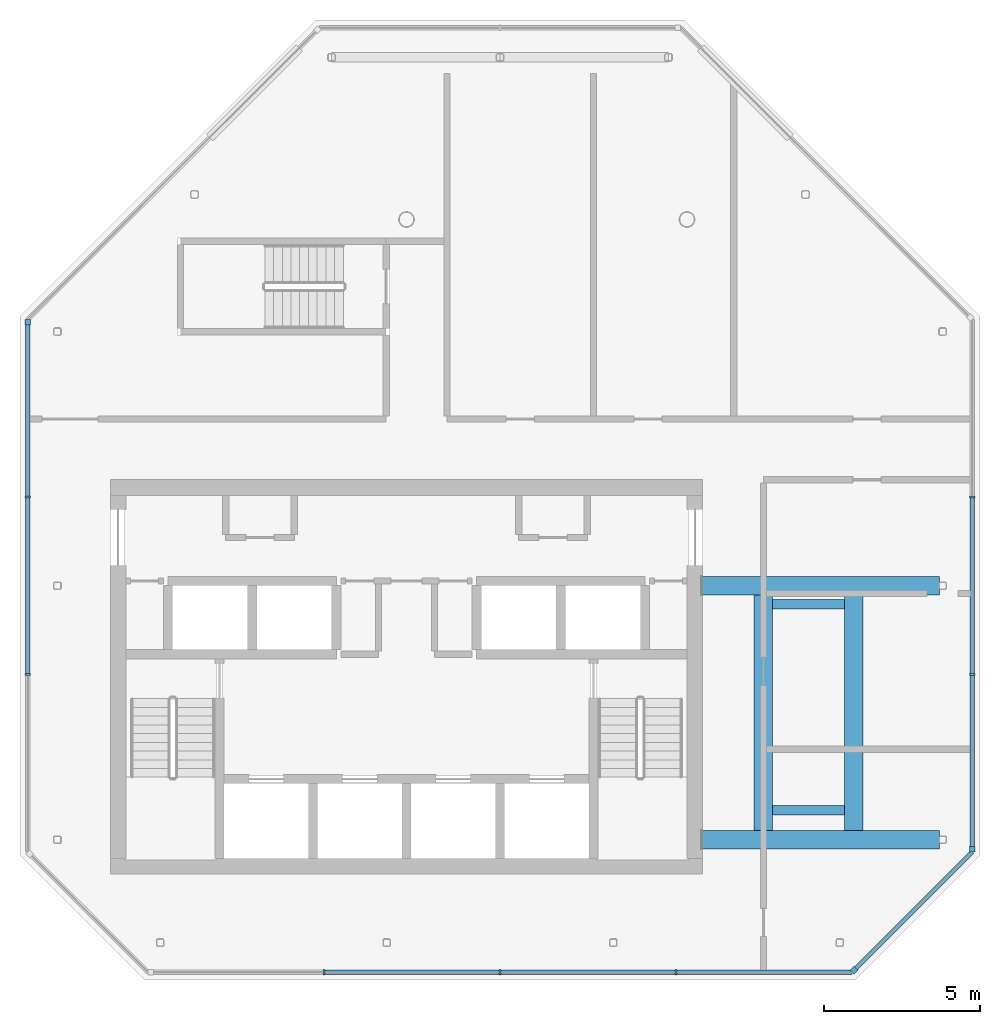
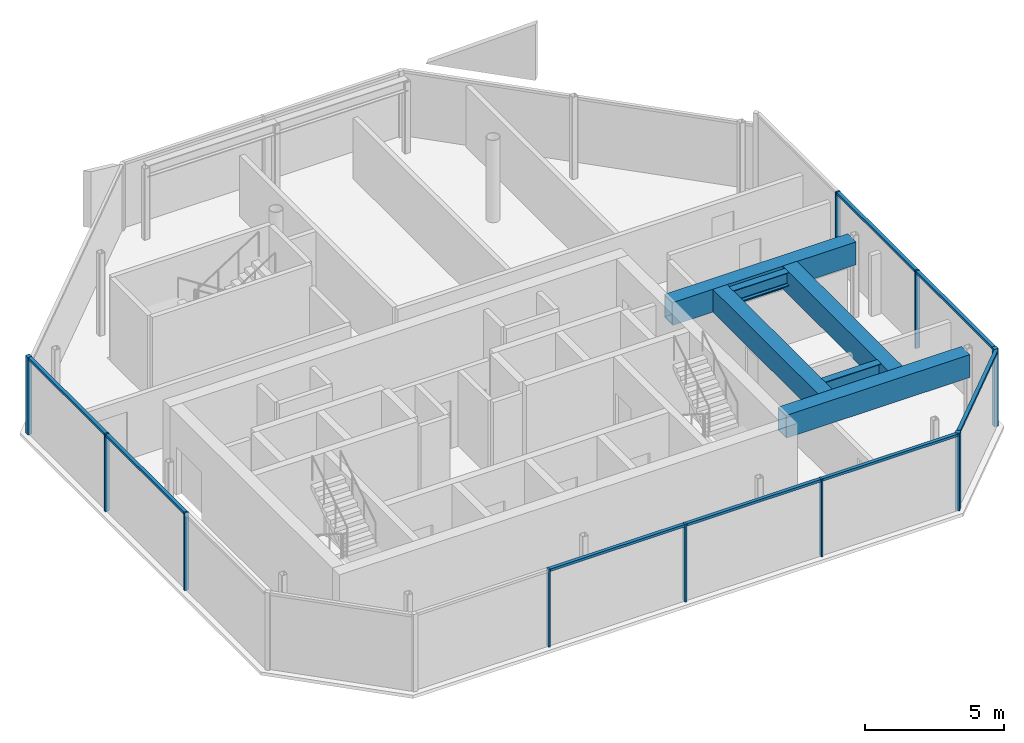
# One storey, part 2 of 7: 18 members, 6 beams, 4 elements without a shape of their own.
"""IFC4 building model written with IfcOpenShell, lengths in metres."""

from ifc_helpers import new_model, si_unit, direction, frame, origin, origin_2d, place, context, subcontext, project, spatial, rectangle, hollow_rectangle, i_section, extrude, material, material_profile, profile_set, type_object, element, aggregate, save


model = new_model("IFC4")

# Units and contexts
model_context = context("Model", 3, precision=1e-05, world=origin(), true_north=direction((0.0, 1.0)))
body_context = subcontext(model_context, "Body", "Model", "MODEL_VIEW")
ifc_project = project(units=[si_unit("LENGTHUNIT", "METRE"), si_unit("AREAUNIT", "SQUARE_METRE"), si_unit("VOLUMEUNIT", "CUBIC_METRE"), si_unit("PLANEANGLEUNIT", "RADIAN"), si_unit("MASSUNIT", "GRAM", prefix="KILO")], contexts=[model_context])

# Site, building, storey
site_placement = place(None, origin())
site = spatial("IfcSite", under=ifc_project, at=site_placement, CompositionType="ELEMENT")
building_placement = place(site_placement, origin())
building = spatial("IfcBuilding", under=site, at=building_placement, Name="Tskaro Facet Tower", CompositionType="ELEMENT")
storey_placement = place(building_placement, frame((0.0, 0.0, 297.300048828125)))
storey = spatial("IfcBuildingStorey", under=building, at=storey_placement, Name="L80", CompositionType="ELEMENT", Elevation=297.300048828125)

# Beams
ifc_material_1 = material(Name="Steel S355J2", Category="steel")
ifc_material_profile_1 = material_profile(ifc_material_1, hollow_rectangle(XDim=0.60009765625, YDim=1.0, WallThickness=0.0400390625, at=origin_2d()), Name="BOX 600x1000x40")
ifc_profile_set_1 = profile_set([ifc_material_profile_1], Name="Steel S355J2")
beam_type_1 = type_object("IfcBeamType", Name="BOX 600x1000x40 transfer girder", PredefinedType="BEAM", material=ifc_profile_set_1)
for number, where, z_axis, x_axis, name in (
    (1, (9.489990234375, -10.903076171875, 2.9599609375), (1.0, 0.0, 0.0), (0.0, 1.0, 0.0), "BOX 600x1000x40 TG6-S1"),
    (2, (9.489990234375, -2.75, 2.9599609375), (1.0, 0.0, 0.0), (0.0, 1.0, 0.0), "BOX 600x1000x40 TG6-S2"),
):
    element("IfcBeam", number, at=place(storey_placement, frame(where, z_axis=z_axis, x_axis=x_axis)), inside=storey, type_object=beam_type_1, Name=name, PredefinedType="BEAM", context=body_context, shape_type="SweptSolid", body=[
        extrude(hollow_rectangle(XDim=0.60009765625, YDim=1.0, WallThickness=0.0400390625, at=origin_2d()), origin(), (0.0, 0.0, 1.0), 7.60498046875),
    ])
for number, where, z_axis, x_axis, name in (
    (3, (11.449951171875, -10.613037109375, 2.9599609375), (0.0, 1.0, 0.0), (-1.0, 0.0, 0.0), "BOX 600x1000x40 TG6-S3"),
    (4, (14.35009765625, -10.613037109375, 2.9599609375), (0.0, 1.0, 0.0), (-1.0, 0.0, 0.0), "BOX 600x1000x40 TG6-S4"),
):
    element("IfcBeam", number, at=place(storey_placement, frame(where, z_axis=z_axis, x_axis=x_axis)), inside=storey, type_object=beam_type_1, Name=name, PredefinedType="BEAM", context=body_context, shape_type="SweptSolid", body=[
        extrude(hollow_rectangle(XDim=0.60009765625, YDim=1.0, WallThickness=0.0400390625, at=origin_2d()), origin(), (0.0, 0.0, 1.0), 7.572998046875),
    ])

# Curtain wall, member
ifc_material_2 = material(Name="Bronze anodised aluminium 6063-T6", Category="aluminium")
curtain_wall_type = type_object("IfcCurtainWallType", Name="Bronze crown curtain wall (FW5)", PredefinedType="NOTDEFINED", material=ifc_material_2)
curtain_wall_1_placement = place(storey_placement, origin())
curtain_wall_1 = element("IfcCurtainWall", 5, at=curtain_wall_1_placement, inside=storey, type_object=curtain_wall_type, Name="FW5 south-east facet L80", PredefinedType="NOTDEFINED")
ifc_material_profile_2 = material_profile(ifc_material_2, rectangle(XDim=0.179931640625, YDim=0.179931640625, at=origin_2d()), Name="Corner post 180x180")
ifc_profile_set_2 = profile_set([ifc_material_profile_2], Name="Bronze anodised aluminium 6063-T6")
member_type_1 = type_object("IfcMemberType", Name="FW5 bronze corner post 180x180", PredefinedType="MULLION", material=ifc_profile_set_2)
member_1_placement = place(storey_placement, frame((14.359619140625, -15.08642578125, 0.0), z_axis=(0.0, 0.0, 1.0), x_axis=(0.707106781187, 0.707106781187, 0.0)))
member_1 = element("IfcMember", 6, at=member_1_placement, type_object=member_type_1, Name="FW5 south-east corner post", PredefinedType="MULLION", context=body_context, shape_type="SweptSolid", body=[
    extrude(rectangle(XDim=0.179931640625, YDim=0.179931640625, at=origin_2d()), origin(), (0.0, 0.0, 1.0), 3.39990234375),
])

curtain_wall_2_placement = place(storey_placement, origin())
curtain_wall_2 = element("IfcCurtainWall", 7, at=curtain_wall_2_placement, inside=storey, type_object=curtain_wall_type, Name="FW5 east facet L80", PredefinedType="NOTDEFINED")
member_2_placement = place(storey_placement, frame((18.14990234375, -11.2060546875, 0.0), z_axis=(0.0, 0.0, 1.0), x_axis=(0.0, 1.0, 0.0)))
member_2 = element("IfcMember", 8, at=member_2_placement, type_object=member_type_1, Name="FW5 east corner post", PredefinedType="MULLION", context=body_context, shape_type="SweptSolid", body=[
    extrude(rectangle(XDim=0.179931640625, YDim=0.179931640625, at=origin_2d()), origin(), (0.0, 0.0, 1.0), 3.39990234375),
])

curtain_wall_3_placement = place(storey_placement, origin())
curtain_wall_3 = element("IfcCurtainWall", 9, at=curtain_wall_3_placement, inside=storey, type_object=curtain_wall_type, Name="FW5 west facet L80", PredefinedType="NOTDEFINED")
member_3_placement = place(storey_placement, frame((-12.14990234375, 5.7060546875, 0.0), z_axis=(0.0, 0.0, 1.0), x_axis=(0.0, -1.0, 0.0)))
member_3 = element("IfcMember", 10, at=member_3_placement, type_object=member_type_1, Name="FW5 west corner post", PredefinedType="MULLION", context=body_context, shape_type="SweptSolid", body=[
    extrude(rectangle(XDim=0.179931640625, YDim=0.179931640625, at=origin_2d()), origin(), (0.0, 0.0, 1.0), 3.39990234375),
])

# Curtain wall, members
curtain_wall_4_placement = place(storey_placement, origin())
curtain_wall_4 = element("IfcCurtainWall", 11, at=curtain_wall_4_placement, inside=storey, type_object=curtain_wall_type, Name="FW5 south facet L80", PredefinedType="NOTDEFINED")
ifc_material_profile_3 = material_profile(ifc_material_2, rectangle(XDim=0.070068359375, YDim=0.179931640625, at=origin_2d()), Name="Mullion 70x180")
ifc_profile_set_3 = profile_set([ifc_material_profile_3], Name="Bronze anodised aluminium 6063-T6")
member_type_2 = type_object("IfcMemberType", Name="FW5 bronze mullion 70x180", PredefinedType="MULLION", material=ifc_profile_set_3)
member_4_placement = place(storey_placement, frame((-2.64794921875, -15.14990234375, 0.0), z_axis=(0.0, 0.0, 1.0), x_axis=(1.0, 0.0, 0.0)))
member_4 = element("IfcMember", 12, at=member_4_placement, type_object=member_type_2, Name="FW5 south mullion 1", PredefinedType="MULLION", context=body_context, shape_type="SweptSolid", body=[
    extrude(rectangle(XDim=0.070068359375, YDim=0.179931640625, at=origin_2d()), origin(), (0.0, 0.0, 1.0), 3.39990234375),
])
member_5_placement = place(storey_placement, frame((3.0, -15.14990234375, 0.0), z_axis=(0.0, 0.0, 1.0), x_axis=(1.0, 0.0, 0.0)))
member_5 = element("IfcMember", 13, at=member_5_placement, type_object=member_type_2, Name="FW5 south mullion 2", PredefinedType="MULLION", context=body_context, shape_type="SweptSolid", body=[
    extrude(rectangle(XDim=0.070068359375, YDim=0.179931640625, at=origin_2d()), origin(), (0.0, 0.0, 1.0), 3.39990234375),
])
member_6_placement = place(storey_placement, frame((8.64794921875, -15.14990234375, 0.0), z_axis=(0.0, 0.0, 1.0), x_axis=(1.0, 0.0, 0.0)))
member_6 = element("IfcMember", 14, at=member_6_placement, type_object=member_type_2, Name="FW5 south mullion 3", PredefinedType="MULLION", context=body_context, shape_type="SweptSolid", body=[
    extrude(rectangle(XDim=0.070068359375, YDim=0.179931640625, at=origin_2d()), origin(), (0.0, 0.0, 1.0), 3.39990234375),
])

# Member
member_7_placement = place(storey_placement, frame((18.14990234375, -5.5986328125, 0.0), z_axis=(0.0, 0.0, 1.0), x_axis=(0.0, 1.0, 0.0)))
member_7 = element("IfcMember", 15, at=member_7_placement, type_object=member_type_2, Name="FW5 east mullion 1", PredefinedType="MULLION", context=body_context, shape_type="SweptSolid", body=[
    extrude(rectangle(XDim=0.070068359375, YDim=0.179931640625, at=origin_2d()), origin(), (0.0, 0.0, 1.0), 3.39990234375),
])

member_8_placement = place(storey_placement, frame((18.14990234375, 0.0986328125, 0.0), z_axis=(0.0, 0.0, 1.0), x_axis=(0.0, 1.0, 0.0)))
member_8 = element("IfcMember", 16, at=member_8_placement, type_object=member_type_2, Name="FW5 east mullion 2", PredefinedType="MULLION", context=body_context, shape_type="SweptSolid", body=[
    extrude(rectangle(XDim=0.070068359375, YDim=0.179931640625, at=origin_2d()), origin(), (0.0, 0.0, 1.0), 3.39990234375),
])

member_9_placement = place(storey_placement, frame((-12.14990234375, 0.0986328125, 0.0), z_axis=(0.0, 0.0, 1.0), x_axis=(0.0, -1.0, 0.0)))
member_9 = element("IfcMember", 17, at=member_9_placement, type_object=member_type_2, Name="FW5 west mullion 1", PredefinedType="MULLION", context=body_context, shape_type="SweptSolid", body=[
    extrude(rectangle(XDim=0.070068359375, YDim=0.179931640625, at=origin_2d()), origin(), (0.0, 0.0, 1.0), 3.39990234375),
])

member_10_placement = place(storey_placement, frame((-12.14990234375, -5.5986328125, 0.0), z_axis=(0.0, 0.0, 1.0), x_axis=(0.0, -1.0, 0.0)))
member_10 = element("IfcMember", 18, at=member_10_placement, type_object=member_type_2, Name="FW5 west mullion 2", PredefinedType="MULLION", context=body_context, shape_type="SweptSolid", body=[
    extrude(rectangle(XDim=0.070068359375, YDim=0.179931640625, at=origin_2d()), origin(), (0.0, 0.0, 1.0), 3.39990234375),
])

ifc_material_profile_4 = material_profile(ifc_material_2, rectangle(XDim=0.139892578125, YDim=0.110107421875, at=origin_2d()), Name="Transom 140x110")
ifc_profile_set_4 = profile_set([ifc_material_profile_4], Name="Bronze anodised aluminium 6063-T6")
member_type_3 = type_object("IfcMemberType", Name="FW5 bronze transom 140x110", PredefinedType="USERDEFINED", material=ifc_profile_set_4)
member_11_placement = place(storey_placement, frame((-2.613037109375, -15.14990234375, 3.344970703125), z_axis=(1.0, 0.0, 0.0), x_axis=(0.0, 1.0, 0.0)))
member_11 = element("IfcMember", 19, at=member_11_placement, type_object=member_type_3, Name="FW5 south transom 2.1", ObjectType="TRANSOM", PredefinedType="USERDEFINED", context=body_context, shape_type="SweptSolid", body=[
    extrude(rectangle(XDim=0.139892578125, YDim=0.110107421875, at=origin_2d()), origin(), (0.0, 0.0, 1.0), 5.578125),
])

member_12_placement = place(storey_placement, frame((3.034912109375, -15.14990234375, 3.344970703125), z_axis=(1.0, 0.0, 0.0), x_axis=(0.0, 1.0, 0.0)))
member_12 = element("IfcMember", 20, at=member_12_placement, type_object=member_type_3, Name="FW5 south transom 3.1", ObjectType="TRANSOM", PredefinedType="USERDEFINED", context=body_context, shape_type="SweptSolid", body=[
    extrude(rectangle(XDim=0.139892578125, YDim=0.110107421875, at=origin_2d()), origin(), (0.0, 0.0, 1.0), 5.578125),
])

member_13_placement = place(storey_placement, frame((8.68310546875, -15.14990234375, 3.344970703125), z_axis=(1.0, 0.0, 0.0), x_axis=(0.0, 1.0, 0.0)))
member_13 = element("IfcMember", 21, at=member_13_placement, type_object=member_type_3, Name="FW5 south transom 4.1", ObjectType="TRANSOM", PredefinedType="USERDEFINED", context=body_context, shape_type="SweptSolid", body=[
    extrude(rectangle(XDim=0.139892578125, YDim=0.110107421875, at=origin_2d()), origin(), (0.0, 0.0, 1.0), 5.61279296875),
])

aggregate(curtain_wall_4, [member_4, member_5, member_6, member_11, member_12, member_13])

member_14_placement = place(storey_placement, frame((14.42333984375, -15.022705078125, 3.344970703125), z_axis=(0.707083619001, 0.707129942613, 0.0), x_axis=(-0.707129942613, 0.707083619001, 0.0)))
member_14 = element("IfcMember", 22, at=member_14_placement, type_object=member_type_3, Name="FW5 south-east transom 1.1", ObjectType="TRANSOM", PredefinedType="USERDEFINED", context=body_context, shape_type="SweptSolid", body=[
    extrude(rectangle(XDim=0.139892578125, YDim=0.110107421875, at=origin_2d()), origin(), (0.0, 0.0, 1.0), 5.270263671875),
])

aggregate(curtain_wall_1, [member_1, member_14])

member_15_placement = place(storey_placement, frame((18.14990234375, -11.115966796875, 3.344970703125), z_axis=(0.0, 1.0, 0.0), x_axis=(-1.0, 0.0, 0.0)))
member_15 = element("IfcMember", 23, at=member_15_placement, type_object=member_type_3, Name="FW5 east transom 1.1", ObjectType="TRANSOM", PredefinedType="USERDEFINED", context=body_context, shape_type="SweptSolid", body=[
    extrude(rectangle(XDim=0.139892578125, YDim=0.110107421875, at=origin_2d()), origin(), (0.0, 0.0, 1.0), 5.482421875),
])

member_16_placement = place(storey_placement, frame((18.14990234375, -5.563720703125, 3.344970703125), z_axis=(0.0, 1.0, 0.0), x_axis=(-1.0, 0.0, 0.0)))
member_16 = element("IfcMember", 24, at=member_16_placement, type_object=member_type_3, Name="FW5 east transom 2.1", ObjectType="TRANSOM", PredefinedType="USERDEFINED", context=body_context, shape_type="SweptSolid", body=[
    extrude(rectangle(XDim=0.139892578125, YDim=0.110107421875, at=origin_2d()), origin(), (0.0, 0.0, 1.0), 5.62744140625),
])

aggregate(curtain_wall_2, [member_2, member_7, member_8, member_15, member_16])

member_17_placement = place(storey_placement, frame((-12.14990234375, 5.615966796875, 3.344970703125), z_axis=(0.0, -1.0, 0.0), x_axis=(1.0, 0.0, 0.0)))
member_17 = element("IfcMember", 25, at=member_17_placement, type_object=member_type_3, Name="FW5 west transom 1.1", ObjectType="TRANSOM", PredefinedType="USERDEFINED", context=body_context, shape_type="SweptSolid", body=[
    extrude(rectangle(XDim=0.139892578125, YDim=0.110107421875, at=origin_2d()), origin(), (0.0, 0.0, 1.0), 5.482421875),
])

member_18_placement = place(storey_placement, frame((-12.14990234375, 0.063720703125, 3.344970703125), z_axis=(0.0, -1.0, 0.0), x_axis=(1.0, 0.0, 0.0)))
member_18 = element("IfcMember", 26, at=member_18_placement, type_object=member_type_3, Name="FW5 west transom 2.1", ObjectType="TRANSOM", PredefinedType="USERDEFINED", context=body_context, shape_type="SweptSolid", body=[
    extrude(rectangle(XDim=0.139892578125, YDim=0.110107421875, at=origin_2d()), origin(), (0.0, 0.0, 1.0), 5.62744140625),
])

aggregate(curtain_wall_3, [member_3, member_9, member_10, member_17, member_18])

# Beams
ifc_material_profile_5 = material_profile(ifc_material_1, i_section(OverallWidth=0.300048828125, OverallDepth=0.590087890625, WebThickness=0.012939453125, FlangeThickness=0.02490234375, FilletRadius=0.027099609375, at=origin_2d()), Name="HE 600 A")
ifc_profile_set_5 = profile_set([ifc_material_profile_5], Name="Steel S355J2")
beam_type_2 = type_object("IfcBeamType", Name="HE 600 A girder", PredefinedType="BEAM", material=ifc_profile_set_5)
for number, where, z_axis, x_axis, name in (
    (27, (11.739990234375, -9.949951171875, 3.1650390625), (1.0, 0.0, 0.0), (0.0, 1.0, 0.0), "HE 600 A GBS1-6"),
    (28, (11.739990234375, -3.35009765625, 3.1650390625), (1.0, 0.0, 0.0), (0.0, 1.0, 0.0), "HE 600 A GBS2-6"),
):
    element("IfcBeam", number, at=place(storey_placement, frame(where, z_axis=z_axis, x_axis=x_axis)), inside=storey, type_object=beam_type_2, Name=name, PredefinedType="BEAM", context=body_context, shape_type="SweptSolid", body=[
        extrude(i_section(OverallWidth=0.300048828125, OverallDepth=0.590087890625, WebThickness=0.012939453125, FlangeThickness=0.02490234375, FilletRadius=0.027099609375, at=origin_2d()), origin(), (0.0, 0.0, 1.0), 2.320068359375),
    ])

save(model, "model.ifc")
